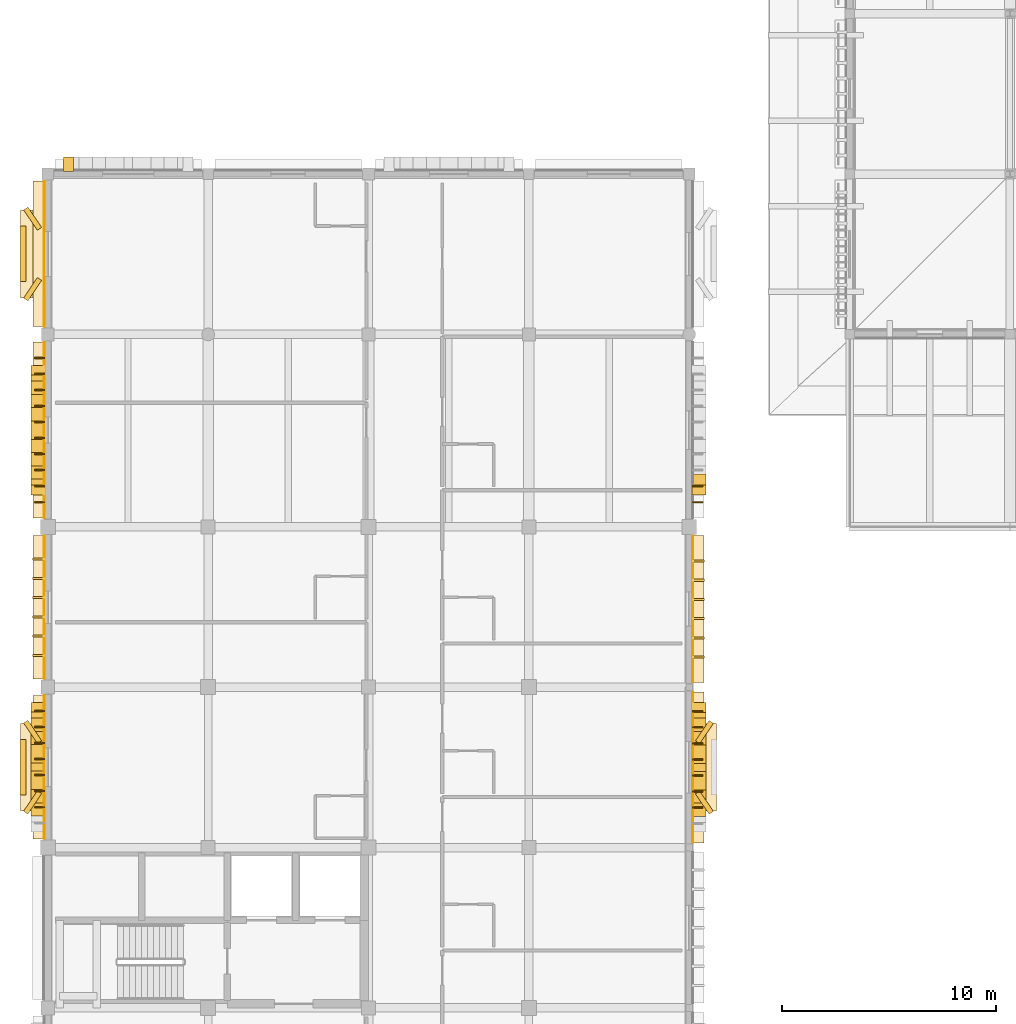
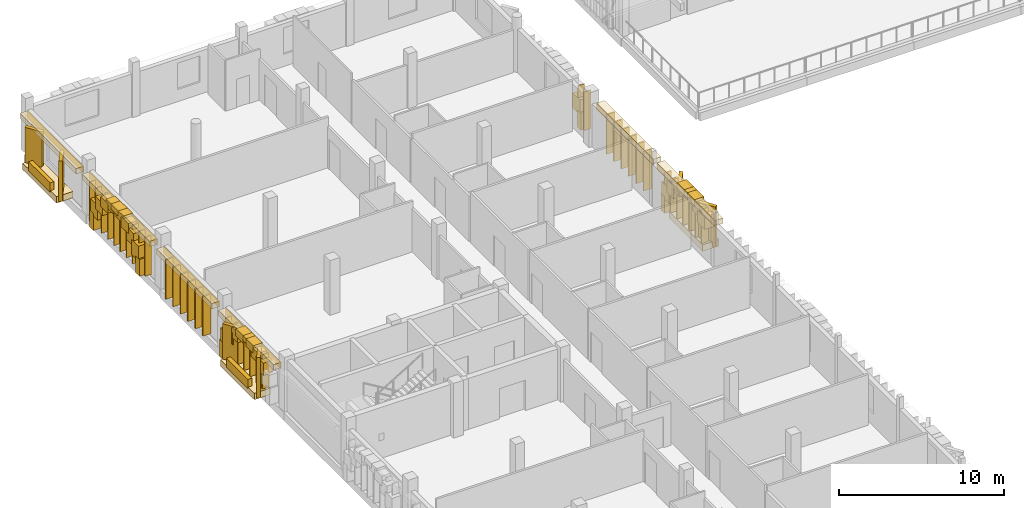
# One storey, part 38 of 48: 67 coverings, 26 shading devices.
"""IFC4 building model written with IfcOpenShell, lengths in metres."""

import ifcopenshell
import ifcopenshell.guid

model = None  # the IFC model being written
_history = None  # IfcOwnerHistory: only IFC2X3 demands one
_inside = {}  # id of a spatial element -> (the spatial element, [elements in it])
_under = {}  # id of a project, library or spatial element -> (it, [spatial elements below it])
_declared = {}  # id of a project -> (the project, [libraries it declares])
_typed = {}  # id of a type object -> (the type object, [elements of that type])
_made_of = {}  # id of a material, layer set ... -> (it, [elements and type objects made of it])


def new_model(schema):
    """Start an empty IFC model of exactly this schema.

    Asked for "IFC4X3", IfcOpenShell would pick the latest addendum, in which some entities
    have other attributes; the version numbers below select the first issue.
    IFC2X3 requires an IfcOwnerHistory on every rooted entity: one is made here for all.
    """
    global model, _history
    if schema == "IFC4X3":
        model = ifcopenshell.file(schema_version=(4, 3, 0, 0))
    else:
        model = ifcopenshell.file(schema=schema)
    _inside.clear()
    _under.clear()
    _declared.clear()
    _typed.clear()
    _made_of.clear()
    _history = None
    if model.schema == "IFC2X3":
        org = make("IfcOrganization", Name="unknown")
        user = make(
            "IfcPersonAndOrganization",
            ThePerson=make("IfcPerson", FamilyName="unknown"),
            TheOrganization=org,
        )
        app = make(
            "IfcApplication",
            ApplicationDeveloper=org,
            Version="unknown",
            ApplicationFullName="unknown",
            ApplicationIdentifier="unknown",
        )
        _history = make(
            "IfcOwnerHistory",
            OwningUser=user,
            OwningApplication=app,
            ChangeAction="ADDED",
            CreationDate=0,
        )
    return model


def make(cls, **values):
    """One entity of the class cls with the attributes given. An attribute that is None is left unset."""
    return model.create_entity(
        cls, **{name: value for name, value in values.items() if value is not None}
    )


def rooted(cls, **values):
    """An entity with a GlobalId (a new one), such as an element, a storey or a relation."""
    return make(cls, GlobalId=ifcopenshell.guid.new(), OwnerHistory=_history, **values)


def si_unit(unit_type, name, prefix=None):
    """IfcSIUnit, for example si_unit("LENGTHUNIT", "METRE", prefix="MILLI")."""
    return make("IfcSIUnit", UnitType=unit_type, Prefix=prefix, Name=name)


def assignment(units):
    """IfcUnitAssignment: the units of a project."""
    return None if units is None else make("IfcUnitAssignment", Units=units)


def point(xyz):
    """IfcCartesianPoint."""
    return None if xyz is None else make("IfcCartesianPoint", Coordinates=xyz)


def direction(xyz):
    """IfcDirection."""
    return None if xyz is None else make("IfcDirection", DirectionRatios=xyz)


def frame(location, z_axis=None, x_axis=None):
    """IfcAxis2Placement3D, a coordinate frame: its origin and axes. An axis left out is left unset."""
    return make(
        "IfcAxis2Placement3D",
        Location=point(location),
        Axis=direction(z_axis),
        RefDirection=direction(x_axis),
    )


def frame_2d(location, x_axis=None):
    """IfcAxis2Placement2D, a coordinate frame in the plane: its origin and x axis."""
    return make(
        "IfcAxis2Placement2D", Location=point(location), RefDirection=direction(x_axis)
    )


def origin():
    """The frame at (0, 0, 0) with its axes left unset."""
    return frame((0.0, 0.0, 0.0))


def origin_2d():
    """The frame at (0, 0) in the plane with its x axis left unset."""
    return frame_2d((0.0, 0.0))


def place(relative_to, where):
    """IfcLocalPlacement: puts the frame where relative to a parent placement (None: the world)."""
    return make(
        "IfcLocalPlacement", PlacementRelTo=relative_to, RelativePlacement=where
    )


def context(
    kind, dimensions, precision=None, world=None, true_north=None, identifier=None
):
    """IfcGeometricRepresentationContext, for example the 3D "Model" context."""
    return make(
        "IfcGeometricRepresentationContext",
        ContextIdentifier=identifier,
        ContextType=kind,
        CoordinateSpaceDimension=dimensions,
        Precision=precision,
        WorldCoordinateSystem=world,
        TrueNorth=true_north,
    )


def subcontext(parent, identifier, kind, view, scale=None):
    """IfcGeometricRepresentationSubContext, for example "Body" below "Model"."""
    return make(
        "IfcGeometricRepresentationSubContext",
        ContextIdentifier=identifier,
        ContextType=kind,
        ParentContext=parent,
        TargetScale=scale,
        TargetView=view,
    )


def project(units=None, contexts=None):
    """IfcProject with its units and contexts."""
    return rooted(
        "IfcProject",
        Name="project",
        RepresentationContexts=contexts,
        UnitsInContext=assignment(units),
    )


def spatial(cls, under=None, at=None, **own):
    """A site, building, storey or space (cls), placed at a placement, below another one or the project."""
    s = rooted(cls, ObjectPlacement=at, **own)
    if under is not None:
        _under.setdefault(under.id(), (under, []))[1].append(s)
    return s


def profile(cls, at=None, kind="AREA", **sizes):
    """A parametric profile (cls). Its sizes go by their IFC names, for example OverallWidth=200.0."""
    return make(cls, ProfileType=kind, Position=at, **sizes)


def rectangle(**sizes):
    """IfcRectangleProfileDef."""
    return profile("IfcRectangleProfileDef", **sizes)


def extrude(swept, where, along, depth):
    """IfcExtrudedAreaSolid: the profile swept, set in the frame where, extruded along a direction by depth."""
    return make(
        "IfcExtrudedAreaSolid",
        SweptArea=swept,
        Position=where,
        ExtrudedDirection=direction(along),
        Depth=depth,
    )


def shape(context_of_items, identifier, shape_type, items):
    """IfcShapeRepresentation: the items that make up one representation, for example the "Body"."""
    return make(
        "IfcShapeRepresentation",
        ContextOfItems=context_of_items,
        RepresentationIdentifier=identifier,
        RepresentationType=shape_type,
        Items=items,
    )


def material(Name=None, Category=None):
    """IfcMaterial."""
    return make("IfcMaterial", Name=Name, Category=Category)


def layer(
    of_material, thickness, ventilated=None, Name=None, Category=None, Priority=None
):
    """IfcMaterialLayer: one layer of a wall or slab, of a material (None: an air gap)."""
    return make(
        "IfcMaterialLayer",
        Material=of_material,
        LayerThickness=thickness,
        IsVentilated=ventilated,
        Name=Name,
        Category=Category,
        Priority=Priority,
    )


def layer_set(layers, Name=None):
    """IfcMaterialLayerSet."""
    return make("IfcMaterialLayerSet", MaterialLayers=layers, LayerSetName=Name)


def made_of(thing, what):
    """Note that an element or type object is made of a material, layer set ...; save() writes the relation."""
    if what is not None:
        _made_of.setdefault(what.id(), (what, []))[1].append(thing)
    return thing


def type_object(cls, material=None, **own):
    """A type object (cls), such as IfcWallType, which elements share."""
    return made_of(rooted(cls, **own), material)


def element(
    cls,
    number,
    at=None,
    inside=None,
    cuts=None,
    type_object=None,
    material=None,
    context=None,
    identifier="Body",
    shape_type=None,
    held_by="IfcProductDefinitionShape",
    body=None,
    shapes=None,
    **own,
):
    """One element of the class cls, such as IfcWall. Its Tag is "e" and its number.

    at: its placement. inside: the storey or other place that contains it. cuts: it is an
    opening in that element (IfcRelVoidsElement). A single representation is given by context,
    identifier, shape_type and body (its items); several are given by shapes. held_by: the class
    of the entity that holds the representations. save() writes the other relations.
    """
    e = rooted(cls, Tag="e%d" % number, ObjectPlacement=at, **own)
    if body is not None:
        shapes = [shape(context, identifier, shape_type, body)]
    if shapes is not None:
        e.Representation = make(held_by, Representations=shapes)
    if inside is not None:
        _inside.setdefault(inside.id(), (inside, []))[1].append(e)
    if cuts is not None:
        rooted(
            "IfcRelVoidsElement", RelatingBuildingElement=cuts, RelatedOpeningElement=e
        )
    if type_object is not None:
        _typed.setdefault(type_object.id(), (type_object, []))[1].append(e)
    return made_of(e, material)


def aggregate(whole, parts):
    """IfcRelAggregates: a whole, such as a stair, and the parts it consists of."""
    return rooted("IfcRelAggregates", RelatingObject=whole, RelatedObjects=parts)


def save(model, path):
    """Write the relations noted so far, then the file.

    IfcRelAggregates (storeys below a building ...), IfcRelContainedInSpatialStructure (elements
    in a storey), IfcRelDefinesByType, IfcRelAssociatesMaterial and IfcRelDeclares: one each for
    every whole, place, type object, material and project.
    """
    for whole, parts in _under.values():
        aggregate(whole, parts)
    for where, things in _inside.values():
        rooted(
            "IfcRelContainedInSpatialStructure",
            RelatedElements=things,
            RelatingStructure=where,
        )
    for kind, things in _typed.values():
        rooted("IfcRelDefinesByType", RelatedObjects=things, RelatingType=kind)
    for what, things in _made_of.values():
        rooted("IfcRelAssociatesMaterial", RelatedObjects=things, RelatingMaterial=what)
    for by, libraries in _declared.values():
        rooted("IfcRelDeclares", RelatingContext=by, RelatedDefinitions=libraries)
    model.write(path)


model = new_model("IFC4")

# Units and contexts
model_context = context("Model", 3, precision=1e-05, world=origin(), true_north=direction((0.0, 1.0)))
body_context = subcontext(model_context, "Body", "Model", "MODEL_VIEW")
ifc_project = project(units=[si_unit("LENGTHUNIT", "METRE"), si_unit("AREAUNIT", "SQUARE_METRE"), si_unit("VOLUMEUNIT", "CUBIC_METRE"), si_unit("PLANEANGLEUNIT", "RADIAN"), si_unit("MASSUNIT", "GRAM", prefix="KILO")], contexts=[model_context])

# Site, building, storey
site_placement = place(None, origin())
site = spatial("IfcSite", under=ifc_project, at=site_placement, CompositionType="ELEMENT")
building_placement = place(site_placement, origin())
building = spatial("IfcBuilding", under=site, at=building_placement, Name="Dalvernix Boulevard General Hospital", CompositionType="ELEMENT")
storey_placement = place(building_placement, frame((0.0, 0.0, 17.85009765625)))
storey = spatial("IfcBuildingStorey", under=building, at=storey_placement, Name="L04", CompositionType="ELEMENT", Elevation=17.85009765625)

# Coverings
ifc_material_1 = material(Name="Pressed Catalan clay brick and dressed limestone parabolic archivolt", Category="masonry")
ifc_layer_1 = layer(ifc_material_1, 0.419921875)
ifc_layer_set_1 = layer_set([ifc_layer_1], Name="Pressed Catalan clay brick and dressed limestone parabolic archivolt (COV-ARC-01)")
covering_type_1 = type_object("IfcCoveringType", Name="COV-ARC-01", PredefinedType="CLADDING", material=ifc_layer_set_1)
covering_1_placement = place(storey_placement, frame((-0.4599609375, 68.0625, 0.0), z_axis=(0.0, 0.0, 1.0), x_axis=(0.0, 1.0, 0.0)))
element("IfcCovering", 1, at=covering_1_placement, inside=storey, type_object=covering_type_1, Name="L04 Catalan parabolic arch impost pier W 0-8-R", PredefinedType="CLADDING", context=body_context, shape_type="SweptSolid", body=[
    extrude(rectangle(XDim=0.4599609375, YDim=0.659912109375, at=origin_2d()), origin(), (0.0, 0.0, 1.0), 1.25),
])
covering_2_placement = place(storey_placement, frame((-0.4599609375, 63.395751953125, 1.77099609375), z_axis=(0.0, 0.0, 1.0), x_axis=(0.0, 1.0, 0.0)))
element("IfcCovering", 2, at=covering_2_placement, inside=storey, type_object=covering_type_1, Name="L04 Catalan parabolic archivolt voussoir W 0-8-2", PredefinedType="CLADDING", context=body_context, shape_type="SweptSolid", body=[
    extrude(rectangle(XDim=0.8623046875, YDim=0.659912109375, at=origin_2d()), origin(), (0.0, 0.0, 1.0), 0.913330078125),
])
covering_3_placement = place(storey_placement, frame((-0.4599609375, 64.01806640625, 2.30419921875), z_axis=(0.0, 0.0, 1.0), x_axis=(0.0, 1.0, 0.0)))
element("IfcCovering", 3, at=covering_3_placement, inside=storey, type_object=covering_type_1, Name="L04 Catalan parabolic archivolt voussoir W 0-8-3", PredefinedType="CLADDING", context=body_context, shape_type="SweptSolid", body=[
    extrude(rectangle(XDim=0.8623046875, YDim=0.659912109375, at=origin_2d()), origin(), (0.0, 0.0, 1.0), 0.735595703125),
])
covering_4_placement = place(storey_placement, frame((-0.4599609375, 64.640380859375, 2.65966796875), z_axis=(0.0, 0.0, 1.0), x_axis=(0.0, 1.0, 0.0)))
element("IfcCovering", 4, at=covering_4_placement, inside=storey, type_object=covering_type_1, Name="L04 Catalan parabolic archivolt voussoir W 0-8-4", PredefinedType="CLADDING", context=body_context, shape_type="SweptSolid", body=[
    extrude(rectangle(XDim=0.8623046875, YDim=0.659912109375, at=origin_2d()), origin(), (0.0, 0.0, 1.0), 0.557861328125),
])
covering_5_placement = place(storey_placement, frame((-0.4599609375, 65.262451171875, 2.837646484375), z_axis=(0.0, 0.0, 1.0), x_axis=(0.0, 1.0, 0.0)))
element("IfcCovering", 5, at=covering_5_placement, inside=storey, type_object=covering_type_1, Name="L04 Catalan parabolic archivolt voussoir W 0-8-5", PredefinedType="CLADDING", context=body_context, shape_type="SweptSolid", body=[
    extrude(rectangle(XDim=0.8623046875, YDim=0.659912109375, at=origin_2d()), origin(), (0.0, 0.0, 1.0), 0.3798828125),
])
covering_6_placement = place(storey_placement, frame((-0.4599609375, 65.884765625, 2.65966796875), z_axis=(0.0, 0.0, 1.0), x_axis=(0.0, 1.0, 0.0)))
element("IfcCovering", 6, at=covering_6_placement, inside=storey, type_object=covering_type_1, Name="L04 Catalan parabolic archivolt voussoir W 0-8-6", PredefinedType="CLADDING", context=body_context, shape_type="SweptSolid", body=[
    extrude(rectangle(XDim=0.8623046875, YDim=0.659912109375, at=origin_2d()), origin(), (0.0, 0.0, 1.0), 0.557861328125),
])
covering_7_placement = place(storey_placement, frame((-0.4599609375, 66.5068359375, 2.30419921875), z_axis=(0.0, 0.0, 1.0), x_axis=(0.0, 1.0, 0.0)))
element("IfcCovering", 7, at=covering_7_placement, inside=storey, type_object=covering_type_1, Name="L04 Catalan parabolic archivolt voussoir W 0-8-7", PredefinedType="CLADDING", context=body_context, shape_type="SweptSolid", body=[
    extrude(rectangle(XDim=0.8623046875, YDim=0.659912109375, at=origin_2d()), origin(), (0.0, 0.0, 1.0), 0.735595703125),
])
covering_8_placement = place(storey_placement, frame((-0.4599609375, 67.129150390625, 1.77099609375), z_axis=(0.0, 0.0, 1.0), x_axis=(0.0, 1.0, 0.0)))
element("IfcCovering", 8, at=covering_8_placement, inside=storey, type_object=covering_type_1, Name="L04 Catalan parabolic archivolt voussoir W 0-8-8", PredefinedType="CLADDING", context=body_context, shape_type="SweptSolid", body=[
    extrude(rectangle(XDim=0.8623046875, YDim=0.659912109375, at=origin_2d()), origin(), (0.0, 0.0, 1.0), 0.913330078125),
])
covering_9_placement = place(storey_placement, frame((-0.4599609375, 67.75146484375, 1.06005859375), z_axis=(0.0, 0.0, 1.0), x_axis=(0.0, 1.0, 0.0)))
element("IfcCovering", 9, at=covering_9_placement, inside=storey, type_object=covering_type_1, Name="L04 Catalan parabolic archivolt voussoir W 0-8-9", PredefinedType="CLADDING", context=body_context, shape_type="SweptSolid", body=[
    extrude(rectangle(XDim=0.8623046875, YDim=0.659912109375, at=origin_2d()), origin(), (0.0, 0.0, 1.0), 1.091064453125),
])
for number, where, z_axis, x_axis, name in (
    (10, (-0.4599609375, 78.22509765625, 0.0), (0.0, 0.0, 1.0), (0.0, 1.0, 0.0), "L04 Catalan parabolic arch impost pier W 0-10-L"),
    (11, (-0.4599609375, 83.824951171875, 0.0), (0.0, 0.0, 1.0), (0.0, 1.0, 0.0), "L04 Catalan parabolic arch impost pier W 0-10-R"),
):
    element("IfcCovering", number, at=place(storey_placement, frame(where, z_axis=z_axis, x_axis=x_axis)), inside=storey, type_object=covering_type_1, Name=name, PredefinedType="CLADDING", context=body_context, shape_type="SweptSolid", body=[
        extrude(rectangle(XDim=0.4599609375, YDim=0.659912109375, at=origin_2d()), origin(), (0.0, 0.0, 1.0), 1.25),
    ])
covering_10_placement = place(storey_placement, frame((-0.4599609375, 78.5361328125, 1.059814453125), z_axis=(0.0, 0.0, 1.0), x_axis=(0.0, 1.0, 0.0)))
element("IfcCovering", 12, at=covering_10_placement, inside=storey, type_object=covering_type_1, Name="L04 Catalan parabolic archivolt voussoir W 0-10-1", PredefinedType="CLADDING", context=body_context, shape_type="SweptSolid", body=[
    extrude(rectangle(XDim=0.8623046875, YDim=0.659912109375, at=origin_2d()), origin(), (0.0, 0.0, 1.0), 1.11083984375),
])
covering_11_placement = place(storey_placement, frame((-0.4599609375, 79.158203125, 1.791015625), z_axis=(0.0, 0.0, 1.0), x_axis=(0.0, 1.0, 0.0)))
element("IfcCovering", 13, at=covering_11_placement, inside=storey, type_object=covering_type_1, Name="L04 Catalan parabolic archivolt voussoir W 0-10-2", PredefinedType="CLADDING", context=body_context, shape_type="SweptSolid", body=[
    extrude(rectangle(XDim=0.8623046875, YDim=0.659912109375, at=origin_2d()), origin(), (0.0, 0.0, 1.0), 0.927978515625),
])
covering_12_placement = place(storey_placement, frame((-0.4599609375, 79.780517578125, 2.3388671875), z_axis=(0.0, 0.0, 1.0), x_axis=(0.0, 1.0, 0.0)))
element("IfcCovering", 14, at=covering_12_placement, inside=storey, type_object=covering_type_1, Name="L04 Catalan parabolic archivolt voussoir W 0-10-3", PredefinedType="CLADDING", context=body_context, shape_type="SweptSolid", body=[
    extrude(rectangle(XDim=0.8623046875, YDim=0.659912109375, at=origin_2d()), origin(), (0.0, 0.0, 1.0), 0.745361328125),
])
covering_13_placement = place(storey_placement, frame((-0.4599609375, 80.40283203125, 2.7041015625), z_axis=(0.0, 0.0, 1.0), x_axis=(0.0, 1.0, 0.0)))
element("IfcCovering", 15, at=covering_13_placement, inside=storey, type_object=covering_type_1, Name="L04 Catalan parabolic archivolt voussoir W 0-10-4", PredefinedType="CLADDING", context=body_context, shape_type="SweptSolid", body=[
    extrude(rectangle(XDim=0.8623046875, YDim=0.659912109375, at=origin_2d()), origin(), (0.0, 0.0, 1.0), 0.562744140625),
])
covering_14_placement = place(storey_placement, frame((-0.4599609375, 81.02490234375, 2.88720703125), z_axis=(0.0, 0.0, 1.0), x_axis=(0.0, 1.0, 0.0)))
element("IfcCovering", 16, at=covering_14_placement, inside=storey, type_object=covering_type_1, Name="L04 Catalan parabolic archivolt voussoir W 0-10-5", PredefinedType="CLADDING", context=body_context, shape_type="SweptSolid", body=[
    extrude(rectangle(XDim=0.8623046875, YDim=0.659912109375, at=origin_2d()), origin(), (0.0, 0.0, 1.0), 0.3798828125),
])
covering_15_placement = place(storey_placement, frame((-0.4599609375, 81.647216796875, 2.7041015625), z_axis=(0.0, 0.0, 1.0), x_axis=(0.0, 1.0, 0.0)))
element("IfcCovering", 17, at=covering_15_placement, inside=storey, type_object=covering_type_1, Name="L04 Catalan parabolic archivolt voussoir W 0-10-6", PredefinedType="CLADDING", context=body_context, shape_type="SweptSolid", body=[
    extrude(rectangle(XDim=0.8623046875, YDim=0.659912109375, at=origin_2d()), origin(), (0.0, 0.0, 1.0), 0.562744140625),
])
covering_16_placement = place(storey_placement, frame((-0.4599609375, 82.269287109375, 2.3388671875), z_axis=(0.0, 0.0, 1.0), x_axis=(0.0, 1.0, 0.0)))
element("IfcCovering", 18, at=covering_16_placement, inside=storey, type_object=covering_type_1, Name="L04 Catalan parabolic archivolt voussoir W 0-10-7", PredefinedType="CLADDING", context=body_context, shape_type="SweptSolid", body=[
    extrude(rectangle(XDim=0.8623046875, YDim=0.659912109375, at=origin_2d()), origin(), (0.0, 0.0, 1.0), 0.745361328125),
])
covering_17_placement = place(storey_placement, frame((-0.4599609375, 82.8916015625, 1.791015625), z_axis=(0.0, 0.0, 1.0), x_axis=(0.0, 1.0, 0.0)))
element("IfcCovering", 19, at=covering_17_placement, inside=storey, type_object=covering_type_1, Name="L04 Catalan parabolic archivolt voussoir W 0-10-8", PredefinedType="CLADDING", context=body_context, shape_type="SweptSolid", body=[
    extrude(rectangle(XDim=0.8623046875, YDim=0.659912109375, at=origin_2d()), origin(), (0.0, 0.0, 1.0), 0.927978515625),
])
covering_18_placement = place(storey_placement, frame((-0.4599609375, 83.513916015625, 1.059814453125), z_axis=(0.0, 0.0, 1.0), x_axis=(0.0, 1.0, 0.0)))
element("IfcCovering", 20, at=covering_18_placement, inside=storey, type_object=covering_type_1, Name="L04 Catalan parabolic archivolt voussoir W 0-10-9", PredefinedType="CLADDING", context=body_context, shape_type="SweptSolid", body=[
    extrude(rectangle(XDim=0.8623046875, YDim=0.659912109375, at=origin_2d()), origin(), (0.0, 0.0, 1.0), 1.11083984375),
])
for number, where, z_axis, x_axis, name in (
    (21, (0.96240234375, 93.4599609375, 0.0), (0.0, 0.0, 1.0), (1.0, 0.0, 0.0), "L04 Catalan parabolic arch impost pier N 0-12-L"),
    (22, (30.4599609375, 68.050048828125, 0.0), (0.0, 0.0, 1.0), (0.0, -1.0, 0.0), "L04 Catalan parabolic arch impost pier E 4-8-L"),
):
    element("IfcCovering", number, at=place(storey_placement, frame(where, z_axis=z_axis, x_axis=x_axis)), inside=storey, type_object=covering_type_1, Name=name, PredefinedType="CLADDING", context=body_context, shape_type="SweptSolid", body=[
        extrude(rectangle(XDim=0.4599609375, YDim=0.659912109375, at=origin_2d()), origin(), (0.0, 0.0, 1.0), 1.25),
    ])
covering_19_placement = place(storey_placement, frame((30.4599609375, 67.739013671875, 1.06005859375), z_axis=(0.0, 0.0, 1.0), x_axis=(0.0, -1.0, 0.0)))
element("IfcCovering", 23, at=covering_19_placement, inside=storey, type_object=covering_type_1, Name="L04 Catalan parabolic archivolt voussoir E 4-8-1", PredefinedType="CLADDING", context=body_context, shape_type="SweptSolid", body=[
    extrude(rectangle(XDim=0.8623046875, YDim=0.659912109375, at=origin_2d()), origin(), (0.0, 0.0, 1.0), 1.091064453125),
])
covering_20_placement = place(storey_placement, frame((30.4599609375, 67.11669921875, 1.77099609375), z_axis=(0.0, 0.0, 1.0), x_axis=(0.0, -1.0, 0.0)))
element("IfcCovering", 24, at=covering_20_placement, inside=storey, type_object=covering_type_1, Name="L04 Catalan parabolic archivolt voussoir E 4-8-2", PredefinedType="CLADDING", context=body_context, shape_type="SweptSolid", body=[
    extrude(rectangle(XDim=0.8623046875, YDim=0.659912109375, at=origin_2d()), origin(), (0.0, 0.0, 1.0), 0.913330078125),
])
covering_21_placement = place(storey_placement, frame((30.4599609375, 66.494384765625, 2.30419921875), z_axis=(0.0, 0.0, 1.0), x_axis=(0.0, -1.0, 0.0)))
element("IfcCovering", 25, at=covering_21_placement, inside=storey, type_object=covering_type_1, Name="L04 Catalan parabolic archivolt voussoir E 4-8-3", PredefinedType="CLADDING", context=body_context, shape_type="SweptSolid", body=[
    extrude(rectangle(XDim=0.8623046875, YDim=0.659912109375, at=origin_2d()), origin(), (0.0, 0.0, 1.0), 0.735595703125),
])
covering_22_placement = place(storey_placement, frame((30.4599609375, 65.872314453125, 2.65966796875), z_axis=(0.0, 0.0, 1.0), x_axis=(0.0, -1.0, 0.0)))
element("IfcCovering", 26, at=covering_22_placement, inside=storey, type_object=covering_type_1, Name="L04 Catalan parabolic archivolt voussoir E 4-8-4", PredefinedType="CLADDING", context=body_context, shape_type="SweptSolid", body=[
    extrude(rectangle(XDim=0.8623046875, YDim=0.659912109375, at=origin_2d()), origin(), (0.0, 0.0, 1.0), 0.557861328125),
])
covering_23_placement = place(storey_placement, frame((30.4599609375, 65.25, 2.837646484375), z_axis=(0.0, 0.0, 1.0), x_axis=(0.0, -1.0, 0.0)))
element("IfcCovering", 27, at=covering_23_placement, inside=storey, type_object=covering_type_1, Name="L04 Catalan parabolic archivolt voussoir E 4-8-5", PredefinedType="CLADDING", context=body_context, shape_type="SweptSolid", body=[
    extrude(rectangle(XDim=0.8623046875, YDim=0.659912109375, at=origin_2d()), origin(), (0.0, 0.0, 1.0), 0.3798828125),
])
covering_24_placement = place(storey_placement, frame((30.4599609375, 64.627685546875, 2.65966796875), z_axis=(0.0, 0.0, 1.0), x_axis=(0.0, -1.0, 0.0)))
element("IfcCovering", 28, at=covering_24_placement, inside=storey, type_object=covering_type_1, Name="L04 Catalan parabolic archivolt voussoir E 4-8-6", PredefinedType="CLADDING", context=body_context, shape_type="SweptSolid", body=[
    extrude(rectangle(XDim=0.8623046875, YDim=0.659912109375, at=origin_2d()), origin(), (0.0, 0.0, 1.0), 0.557861328125),
])
covering_25_placement = place(storey_placement, frame((30.4599609375, 64.005615234375, 2.30419921875), z_axis=(0.0, 0.0, 1.0), x_axis=(0.0, -1.0, 0.0)))
element("IfcCovering", 29, at=covering_25_placement, inside=storey, type_object=covering_type_1, Name="L04 Catalan parabolic archivolt voussoir E 4-8-7", PredefinedType="CLADDING", context=body_context, shape_type="SweptSolid", body=[
    extrude(rectangle(XDim=0.8623046875, YDim=0.659912109375, at=origin_2d()), origin(), (0.0, 0.0, 1.0), 0.735595703125),
])
covering_26_placement = place(storey_placement, frame((30.4599609375, 63.38330078125, 1.77099609375), z_axis=(0.0, 0.0, 1.0), x_axis=(0.0, -1.0, 0.0)))
element("IfcCovering", 30, at=covering_26_placement, inside=storey, type_object=covering_type_1, Name="L04 Catalan parabolic archivolt voussoir E 4-8-8", PredefinedType="CLADDING", context=body_context, shape_type="SweptSolid", body=[
    extrude(rectangle(XDim=0.8623046875, YDim=0.659912109375, at=origin_2d()), origin(), (0.0, 0.0, 1.0), 0.913330078125),
])
covering_27_placement = place(storey_placement, frame((30.4599609375, 78.22509765625, 0.0), z_axis=(0.0, 0.0, 1.0), x_axis=(0.0, -1.0, 0.0)))
element("IfcCovering", 31, at=covering_27_placement, inside=storey, type_object=covering_type_1, Name="L04 Catalan parabolic arch impost pier E 4-10-R", PredefinedType="CLADDING", context=body_context, shape_type="SweptSolid", body=[
    extrude(rectangle(XDim=0.4599609375, YDim=0.659912109375, at=origin_2d()), origin(), (0.0, 0.0, 1.0), 1.25),
])
covering_28_placement = place(storey_placement, frame((30.4599609375, 78.5361328125, 1.059814453125), z_axis=(0.0, 0.0, 1.0), x_axis=(0.0, -1.0, 0.0)))
element("IfcCovering", 32, at=covering_28_placement, inside=storey, type_object=covering_type_1, Name="L04 Catalan parabolic archivolt voussoir E 4-10-9", PredefinedType="CLADDING", context=body_context, shape_type="SweptSolid", body=[
    extrude(rectangle(XDim=0.8623046875, YDim=0.659912109375, at=origin_2d()), origin(), (0.0, 0.0, 1.0), 1.11083984375),
])
ifc_material_2 = material(Name="Polychrome glazed Catalan trencadis ceramic faceted bay spandrel")
ifc_layer_2 = layer(ifc_material_2, 0.280029296875)
ifc_layer_set_2 = layer_set([ifc_layer_2], Name="Polychrome glazed Catalan trencadis ceramic faceted bay spandrel (COV-BAY-01)")
covering_type_2 = type_object("IfcCoveringType", Name="COV-BAY-01", PredefinedType="CLADDING", material=ifc_layer_set_2)
covering_29_placement = place(storey_placement, frame((-1.159912109375, 65.262451171875, 0.3798828125), z_axis=(0.0, 0.0, 1.0), x_axis=(0.0, 1.0, 0.0)))
element("IfcCovering", 33, at=covering_29_placement, inside=storey, type_object=covering_type_2, Name="L04 projecting faceted trencadis bay spandrel W 0-8", PredefinedType="CLADDING", context=body_context, shape_type="SweptSolid", body=[
    extrude(rectangle(XDim=2.60009765625, YDim=0.280029296875, at=origin_2d()), origin(), (0.0, 0.0, 1.0), 0.679931640625),
])
for number, where, z_axis, x_axis, name in (
    (34, (-0.7099609375, 63.612548828125, 0.080078125), (0.0, 0.0, 1.0), (0.559192903471, 0.829037572555, 0.0), "L04 projecting faceted Catalan bay cheek W 0-8-L"),
    (35, (-0.7099609375, 66.91259765625, 0.080078125), (0.0, 0.0, 1.0), (-0.559192903471, 0.829037572555, 0.0), "L04 projecting faceted Catalan bay cheek W 0-8-R"),
):
    element("IfcCovering", number, at=place(storey_placement, frame(where, z_axis=z_axis, x_axis=x_axis)), inside=storey, type_object=covering_type_2, Name=name, PredefinedType="CLADDING", context=body_context, shape_type="SweptSolid", body=[
        extrude(rectangle(XDim=1.14990234375, YDim=0.239990234375, at=origin_2d()), origin(), (0.0, 0.0, 1.0), 3.010009765625),
    ])
covering_30_placement = place(storey_placement, frame((-1.159912109375, 89.262451171875, 0.3798828125), z_axis=(0.0, 0.0, 1.0), x_axis=(0.0, 1.0, 0.0)))
element("IfcCovering", 36, at=covering_30_placement, inside=storey, type_object=covering_type_2, Name="L04 projecting faceted trencadis bay spandrel W 0-11", PredefinedType="CLADDING", context=body_context, shape_type="SweptSolid", body=[
    extrude(rectangle(XDim=2.60009765625, YDim=0.280029296875, at=origin_2d()), origin(), (0.0, 0.0, 1.0), 0.679931640625),
])
for number, where, z_axis, x_axis, name in (
    (37, (-0.7099609375, 87.612548828125, 0.080078125), (0.0, 0.0, 1.0), (0.559192903471, 0.829037572555, 0.0), "L04 projecting faceted Catalan bay cheek W 0-11-L"),
    (38, (-0.7099609375, 90.91259765625, 0.080078125), (0.0, 0.0, 1.0), (-0.559192903471, 0.829037572555, 0.0), "L04 projecting faceted Catalan bay cheek W 0-11-R"),
    (39, (30.7099609375, 66.89990234375, 0.080078125), (0.0, 0.0, 1.0), (-0.559192903471, -0.829037572555, 0.0), "L04 projecting faceted Catalan bay cheek E 4-8-L"),
    (40, (30.7099609375, 63.60009765625, 0.080078125), (0.0, 0.0, 1.0), (0.559192903471, -0.829037572555, 0.0), "L04 projecting faceted Catalan bay cheek E 4-8-R"),
):
    element("IfcCovering", number, at=place(storey_placement, frame(where, z_axis=z_axis, x_axis=x_axis)), inside=storey, type_object=covering_type_2, Name=name, PredefinedType="CLADDING", context=body_context, shape_type="SweptSolid", body=[
        extrude(rectangle(XDim=1.14990234375, YDim=0.239990234375, at=origin_2d()), origin(), (0.0, 0.0, 1.0), 3.010009765625),
    ])
ifc_material_3 = material(Name="Polychrome Catalan glazed ceramic spandrel tile panel")
ifc_layer_3 = layer(ifc_material_3, 0.044921875)
ifc_layer_set_3 = layer_set([ifc_layer_3], Name="Polychrome Catalan glazed ceramic spandrel tile panel (COV-CLD-01)")
covering_type_3 = type_object("IfcCoveringType", Name="COV-CLD-01", PredefinedType="CLADDING", material=ifc_layer_set_3)
for number, where, z_axis, x_axis, name in (
    (41, (-0.169921875, 65.262451171875, 2.69482421875), (0.0, 0.0, 1.0), (0.0, 1.0, 0.0), "L04 polychrome ceramic spandrel W 0-8"),
    (42, (-0.169921875, 72.737548828125, 2.69482421875), (0.0, 0.0, 1.0), (0.0, 1.0, 0.0), "L04 polychrome ceramic spandrel W 0-9"),
):
    element("IfcCovering", number, at=place(storey_placement, frame(where, z_axis=z_axis, x_axis=x_axis)), inside=storey, type_object=covering_type_3, Name=name, PredefinedType="CLADDING", context=body_context, shape_type="SweptSolid", body=[
        extrude(rectangle(XDim=6.705078125, YDim=0.044921875, at=origin_2d()), origin(), (0.0, 0.0, 1.0), 0.449951171875),
    ])
covering_31_placement = place(storey_placement, frame((-0.169921875, 81.02490234375, 2.7451171875), z_axis=(0.0, 0.0, 1.0), x_axis=(0.0, 1.0, 0.0)))
element("IfcCovering", 43, at=covering_31_placement, inside=storey, type_object=covering_type_3, Name="L04 polychrome ceramic spandrel W 0-10", PredefinedType="CLADDING", context=body_context, shape_type="SweptSolid", body=[
    extrude(rectangle(XDim=8.22998046875, YDim=0.044921875, at=origin_2d()), origin(), (0.0, 0.0, 1.0), 0.449951171875),
])
covering_32_placement = place(storey_placement, frame((-0.169921875, 89.262451171875, 2.69482421875), z_axis=(0.0, 0.0, 1.0), x_axis=(0.0, 1.0, 0.0)))
element("IfcCovering", 44, at=covering_32_placement, inside=storey, type_object=covering_type_3, Name="L04 polychrome ceramic spandrel W 0-11", PredefinedType="CLADDING", context=body_context, shape_type="SweptSolid", body=[
    extrude(rectangle(XDim=6.804931640625, YDim=0.044921875, at=origin_2d()), origin(), (0.0, 0.0, 1.0), 0.449951171875),
])
covering_33_placement = place(storey_placement, frame((30.169921875, 65.25, 2.69482421875), z_axis=(0.0, 0.0, 1.0), x_axis=(0.0, -1.0, 0.0)))
element("IfcCovering", 45, at=covering_33_placement, inside=storey, type_object=covering_type_3, Name="L04 polychrome ceramic spandrel E 4-8", PredefinedType="CLADDING", context=body_context, shape_type="SweptSolid", body=[
    extrude(rectangle(XDim=7.06005859375, YDim=0.044921875, at=origin_2d()), origin(), (0.0, 0.0, 1.0), 0.449951171875),
])
covering_34_placement = place(storey_placement, frame((30.169921875, 72.655029296875, 2.69482421875), z_axis=(0.0, 0.0, 1.0), x_axis=(0.0, -1.0, 0.0)))
element("IfcCovering", 46, at=covering_34_placement, inside=storey, type_object=covering_type_3, Name="L04 polychrome ceramic spandrel E 4-9", PredefinedType="CLADDING", context=body_context, shape_type="SweptSolid", body=[
    extrude(rectangle(XDim=6.8701171875, YDim=0.044921875, at=origin_2d()), origin(), (0.0, 0.0, 1.0), 0.449951171875),
])
ifc_material_4 = material(Name="Dressed ochre limestone classical plinth, stringcourse and corbelled cornice", Category="masonry")
ifc_layer_4 = layer(ifc_material_4, 0.449951171875)
ifc_layer_set_4 = layer_set([ifc_layer_4], Name="Dressed ochre limestone classical plinth, stringcourse and corbelled cornice (COV-CRN-01)")
covering_type_4 = type_object("IfcCoveringType", Name="COV-CRN-01", PredefinedType="CLADDING", material=ifc_layer_set_4)
covering_35_placement = place(storey_placement, frame((-0.409912109375, 65.262451171875, 2.77001953125), z_axis=(0.0, 0.0, 1.0), x_axis=(0.0, 1.0, 0.0)))
element("IfcCovering", 47, at=covering_35_placement, inside=storey, type_object=covering_type_4, Name="L04 classical corbelled cornice frieze W 0-8", PredefinedType="CLADDING", context=body_context, shape_type="SweptSolid", body=[
    extrude(rectangle(XDim=6.705078125, YDim=0.56005859375, at=origin_2d()), origin(), (0.0, 0.0, 1.0), 0.39990234375),
])
covering_36_placement = place(storey_placement, frame((-0.705078125, 65.262451171875, 0.0), z_axis=(0.0, 0.0, 1.0), x_axis=(0.0, 1.0, 0.0)))
element("IfcCovering", 48, at=covering_36_placement, inside=storey, type_object=covering_type_4, Name="L04 projecting Catalan bay corbel base W 0-8", PredefinedType="CLADDING", context=body_context, shape_type="SweptSolid", body=[
    extrude(rectangle(XDim=4.10009765625, YDim=1.14990234375, at=origin_2d()), origin(), (0.0, 0.0, 1.0), 0.47998046875),
])
covering_37_placement = place(storey_placement, frame((-0.409912109375, 72.737548828125, 2.77001953125), z_axis=(0.0, 0.0, 1.0), x_axis=(0.0, 1.0, 0.0)))
element("IfcCovering", 49, at=covering_37_placement, inside=storey, type_object=covering_type_4, Name="L04 classical corbelled cornice frieze W 0-9", PredefinedType="CLADDING", context=body_context, shape_type="SweptSolid", body=[
    extrude(rectangle(XDim=6.705078125, YDim=0.56005859375, at=origin_2d()), origin(), (0.0, 0.0, 1.0), 0.39990234375),
])
covering_38_placement = place(storey_placement, frame((-0.409912109375, 81.02490234375, 2.820068359375), z_axis=(0.0, 0.0, 1.0), x_axis=(0.0, 1.0, 0.0)))
element("IfcCovering", 50, at=covering_38_placement, inside=storey, type_object=covering_type_4, Name="L04 classical corbelled cornice frieze W 0-10", PredefinedType="CLADDING", context=body_context, shape_type="SweptSolid", body=[
    extrude(rectangle(XDim=8.22998046875, YDim=0.56005859375, at=origin_2d()), origin(), (0.0, 0.0, 1.0), 0.39990234375),
])
covering_39_placement = place(storey_placement, frame((-0.409912109375, 89.262451171875, 2.77001953125), z_axis=(0.0, 0.0, 1.0), x_axis=(0.0, 1.0, 0.0)))
element("IfcCovering", 51, at=covering_39_placement, inside=storey, type_object=covering_type_4, Name="L04 classical corbelled cornice frieze W 0-11", PredefinedType="CLADDING", context=body_context, shape_type="SweptSolid", body=[
    extrude(rectangle(XDim=6.804931640625, YDim=0.56005859375, at=origin_2d()), origin(), (0.0, 0.0, 1.0), 0.39990234375),
])
covering_40_placement = place(storey_placement, frame((-0.705078125, 89.262451171875, 0.0), z_axis=(0.0, 0.0, 1.0), x_axis=(0.0, 1.0, 0.0)))
element("IfcCovering", 52, at=covering_40_placement, inside=storey, type_object=covering_type_4, Name="L04 projecting Catalan bay corbel base W 0-11", PredefinedType="CLADDING", context=body_context, shape_type="SweptSolid", body=[
    extrude(rectangle(XDim=4.10009765625, YDim=1.14990234375, at=origin_2d()), origin(), (0.0, 0.0, 1.0), 0.47998046875),
])
covering_41_placement = place(storey_placement, frame((30.409912109375, 65.25, 2.77001953125), z_axis=(0.0, 0.0, 1.0), x_axis=(0.0, -1.0, 0.0)))
element("IfcCovering", 53, at=covering_41_placement, inside=storey, type_object=covering_type_4, Name="L04 classical corbelled cornice frieze E 4-8", PredefinedType="CLADDING", context=body_context, shape_type="SweptSolid", body=[
    extrude(rectangle(XDim=7.06005859375, YDim=0.56005859375, at=origin_2d()), origin(), (0.0, 0.0, 1.0), 0.39990234375),
])
covering_42_placement = place(storey_placement, frame((30.705078125, 65.25, 0.0), z_axis=(0.0, 0.0, 1.0), x_axis=(0.0, -1.0, 0.0)))
element("IfcCovering", 54, at=covering_42_placement, inside=storey, type_object=covering_type_4, Name="L04 projecting Catalan bay corbel base E 4-8", PredefinedType="CLADDING", context=body_context, shape_type="SweptSolid", body=[
    extrude(rectangle(XDim=4.10009765625, YDim=1.14990234375, at=origin_2d()), origin(), (0.0, 0.0, 1.0), 0.47998046875),
])
covering_43_placement = place(storey_placement, frame((30.409912109375, 72.655029296875, 2.77001953125), z_axis=(0.0, 0.0, 1.0), x_axis=(0.0, -1.0, 0.0)))
element("IfcCovering", 55, at=covering_43_placement, inside=storey, type_object=covering_type_4, Name="L04 classical corbelled cornice frieze E 4-9", PredefinedType="CLADDING", context=body_context, shape_type="SweptSolid", body=[
    extrude(rectangle(XDim=6.8701171875, YDim=0.56005859375, at=origin_2d()), origin(), (0.0, 0.0, 1.0), 0.39990234375),
])
ifc_material_5 = material(Name="Terracotta-clad iroko timber brise-soleil sun-breaker fin", Category="masonry")
ifc_layer_5 = layer(ifc_material_5, 0.10009765625)
ifc_layer_set_5 = layer_set([ifc_layer_5], Name="Terracotta-clad iroko timber brise-soleil sun-breaker fin (COV-FIN-02)")
covering_type_5 = type_object("IfcCoveringType", Name="COV-FIN-02", PredefinedType="CLADDING", material=ifc_layer_set_5)
for number, where, z_axis, x_axis, name in (
    (56, (-0.419921875, 70.487548828125, 0.1201171875), (0.0, 0.0, 1.0), (0.0, 1.0, 0.0), "L04 terracotta brise-soleil fin W 0-9-1"),
    (57, (-0.419921875, 71.387451171875, 0.1201171875), (0.0, 0.0, 1.0), (0.0, 1.0, 0.0), "L04 terracotta brise-soleil fin W 0-9-2"),
    (58, (-0.419921875, 72.28759765625, 0.1201171875), (0.0, 0.0, 1.0), (0.0, 1.0, 0.0), "L04 terracotta brise-soleil fin W 0-9-3"),
    (59, (-0.419921875, 73.1875, 0.1201171875), (0.0, 0.0, 1.0), (0.0, 1.0, 0.0), "L04 terracotta brise-soleil fin W 0-9-4"),
    (60, (-0.419921875, 74.08740234375, 0.1201171875), (0.0, 0.0, 1.0), (0.0, 1.0, 0.0), "L04 terracotta brise-soleil fin W 0-9-5"),
    (61, (-0.419921875, 74.987548828125, 0.1201171875), (0.0, 0.0, 1.0), (0.0, 1.0, 0.0), "L04 terracotta brise-soleil fin W 0-9-6"),
    (62, (30.419921875, 74.905029296875, 0.1201171875), (0.0, 0.0, 1.0), (0.0, -1.0, 0.0), "L04 terracotta brise-soleil fin E 4-9-1"),
    (63, (30.419921875, 74.0048828125, 0.1201171875), (0.0, 0.0, 1.0), (0.0, -1.0, 0.0), "L04 terracotta brise-soleil fin E 4-9-2"),
    (64, (30.419921875, 73.10498046875, 0.1201171875), (0.0, 0.0, 1.0), (0.0, -1.0, 0.0), "L04 terracotta brise-soleil fin E 4-9-3"),
    (65, (30.419921875, 72.205078125, 0.1201171875), (0.0, 0.0, 1.0), (0.0, -1.0, 0.0), "L04 terracotta brise-soleil fin E 4-9-4"),
    (66, (30.419921875, 71.304931640625, 0.1201171875), (0.0, 0.0, 1.0), (0.0, -1.0, 0.0), "L04 terracotta brise-soleil fin E 4-9-5"),
    (67, (30.419921875, 70.405029296875, 0.1201171875), (0.0, 0.0, 1.0), (0.0, -1.0, 0.0), "L04 terracotta brise-soleil fin E 4-9-6"),
):
    element("IfcCovering", number, at=place(storey_placement, frame(where, z_axis=z_axis, x_axis=x_axis)), inside=storey, type_object=covering_type_5, Name=name, PredefinedType="CLADDING", context=body_context, shape_type="SweptSolid", body=[
        extrude(rectangle(XDim=0.10009765625, YDim=0.580078125, at=origin_2d()), origin(), (0.0, 0.0, 1.0), 2.929931640625),
    ])

# Shading devices
ifc_material_6 = material(Name="Preservative-treated West African iroko timber", Category="wood")
shading_device_type = type_object("IfcShadingDeviceType", Name="SHD-FIN-01", PredefinedType="USERDEFINED", material=ifc_material_6)
for number, where, z_axis, x_axis, name in (
    (68, (-0.3798828125, 63.387451171875, 0.1748046875), (0.0, 0.0, 1.0), (0.0, 1.0, 0.0), "L04 iroko brise-soleil fin 2"),
    (69, (-0.3798828125, 64.137451171875, 0.1748046875), (0.0, 0.0, 1.0), (0.0, 1.0, 0.0), "L04 iroko brise-soleil fin 3"),
    (70, (-0.3798828125, 64.887451171875, 0.1748046875), (0.0, 0.0, 1.0), (0.0, 1.0, 0.0), "L04 iroko brise-soleil fin 4"),
    (71, (-0.3798828125, 65.637451171875, 0.1748046875), (0.0, 0.0, 1.0), (0.0, 1.0, 0.0), "L04 iroko brise-soleil fin 5"),
    (72, (-0.3798828125, 66.387451171875, 0.1748046875), (0.0, 0.0, 1.0), (0.0, 1.0, 0.0), "L04 iroko brise-soleil fin 6"),
    (73, (-0.3798828125, 67.137451171875, 0.1748046875), (0.0, 0.0, 1.0), (0.0, 1.0, 0.0), "L04 iroko brise-soleil fin 7"),
    (74, (-0.3798828125, 67.887451171875, 0.1748046875), (0.0, 0.0, 1.0), (0.0, 1.0, 0.0), "L04 iroko brise-soleil fin 8"),
):
    element("IfcShadingDevice", number, at=place(storey_placement, frame(where, z_axis=z_axis, x_axis=x_axis)), inside=storey, type_object=shading_device_type, Name=name, ObjectType="FIN", PredefinedType="USERDEFINED", context=body_context, shape_type="SweptSolid", body=[
        extrude(rectangle(XDim=0.06494140625, YDim=0.47998046875, at=origin_2d()), origin(), (0.0, 0.0, 1.0), 2.820068359375),
    ])
for number, where, z_axis, x_axis, name in (
    (75, (-0.3798828125, 77.64990234375, 0.1748046875), (0.0, 0.0, 1.0), (0.0, 1.0, 0.0), "L04 iroko brise-soleil fin 1"),
    (76, (-0.3798828125, 78.39990234375, 0.1748046875), (0.0, 0.0, 1.0), (0.0, 1.0, 0.0), "L04 iroko brise-soleil fin 2"),
    (77, (-0.3798828125, 79.14990234375, 0.1748046875), (0.0, 0.0, 1.0), (0.0, 1.0, 0.0), "L04 iroko brise-soleil fin 3"),
    (78, (-0.3798828125, 79.89990234375, 0.1748046875), (0.0, 0.0, 1.0), (0.0, 1.0, 0.0), "L04 iroko brise-soleil fin 4"),
    (79, (-0.3798828125, 80.64990234375, 0.1748046875), (0.0, 0.0, 1.0), (0.0, 1.0, 0.0), "L04 iroko brise-soleil fin 5"),
    (80, (-0.3798828125, 81.39990234375, 0.1748046875), (0.0, 0.0, 1.0), (0.0, 1.0, 0.0), "L04 iroko brise-soleil fin 6"),
    (81, (-0.3798828125, 82.14990234375, 0.1748046875), (0.0, 0.0, 1.0), (0.0, 1.0, 0.0), "L04 iroko brise-soleil fin 7"),
    (82, (-0.3798828125, 82.89990234375, 0.1748046875), (0.0, 0.0, 1.0), (0.0, 1.0, 0.0), "L04 iroko brise-soleil fin 8"),
    (83, (-0.3798828125, 83.64990234375, 0.1748046875), (0.0, 0.0, 1.0), (0.0, 1.0, 0.0), "L04 iroko brise-soleil fin 9"),
    (84, (-0.3798828125, 84.39990234375, 0.1748046875), (0.0, 0.0, 1.0), (0.0, 1.0, 0.0), "L04 iroko brise-soleil fin 10"),
):
    element("IfcShadingDevice", number, at=place(storey_placement, frame(where, z_axis=z_axis, x_axis=x_axis)), inside=storey, type_object=shading_device_type, Name=name, ObjectType="FIN", PredefinedType="USERDEFINED", context=body_context, shape_type="SweptSolid", body=[
        extrude(rectangle(XDim=0.06494140625, YDim=0.47998046875, at=origin_2d()), origin(), (0.0, 0.0, 1.0), 2.8701171875),
    ])
for number, where, z_axis, x_axis, name in (
    (85, (30.3798828125, 67.875, 0.1748046875), (0.0, 0.0, 1.0), (0.0, -1.0, 0.0), "L04 iroko brise-soleil fin 1"),
    (86, (30.3798828125, 67.125, 0.1748046875), (0.0, 0.0, 1.0), (0.0, -1.0, 0.0), "L04 iroko brise-soleil fin 2"),
    (87, (30.3798828125, 66.375, 0.1748046875), (0.0, 0.0, 1.0), (0.0, -1.0, 0.0), "L04 iroko brise-soleil fin 3"),
    (88, (30.3798828125, 65.625, 0.1748046875), (0.0, 0.0, 1.0), (0.0, -1.0, 0.0), "L04 iroko brise-soleil fin 4"),
    (89, (30.3798828125, 64.875, 0.1748046875), (0.0, 0.0, 1.0), (0.0, -1.0, 0.0), "L04 iroko brise-soleil fin 5"),
    (90, (30.3798828125, 64.125, 0.1748046875), (0.0, 0.0, 1.0), (0.0, -1.0, 0.0), "L04 iroko brise-soleil fin 6"),
    (91, (30.3798828125, 63.375, 0.1748046875), (0.0, 0.0, 1.0), (0.0, -1.0, 0.0), "L04 iroko brise-soleil fin 7"),
):
    element("IfcShadingDevice", number, at=place(storey_placement, frame(where, z_axis=z_axis, x_axis=x_axis)), inside=storey, type_object=shading_device_type, Name=name, ObjectType="FIN", PredefinedType="USERDEFINED", context=body_context, shape_type="SweptSolid", body=[
        extrude(rectangle(XDim=0.06494140625, YDim=0.47998046875, at=origin_2d()), origin(), (0.0, 0.0, 1.0), 2.820068359375),
    ])
for number, where, z_axis, x_axis, name in (
    (92, (30.3798828125, 78.39990234375, 0.1748046875), (0.0, 0.0, 1.0), (0.0, -1.0, 0.0), "L04 iroko brise-soleil fin 9"),
    (93, (30.3798828125, 77.64990234375, 0.1748046875), (0.0, 0.0, 1.0), (0.0, -1.0, 0.0), "L04 iroko brise-soleil fin 10"),
):
    element("IfcShadingDevice", number, at=place(storey_placement, frame(where, z_axis=z_axis, x_axis=x_axis)), inside=storey, type_object=shading_device_type, Name=name, ObjectType="FIN", PredefinedType="USERDEFINED", context=body_context, shape_type="SweptSolid", body=[
        extrude(rectangle(XDim=0.06494140625, YDim=0.47998046875, at=origin_2d()), origin(), (0.0, 0.0, 1.0), 2.8701171875),
    ])

save(model, "model.ifc")
